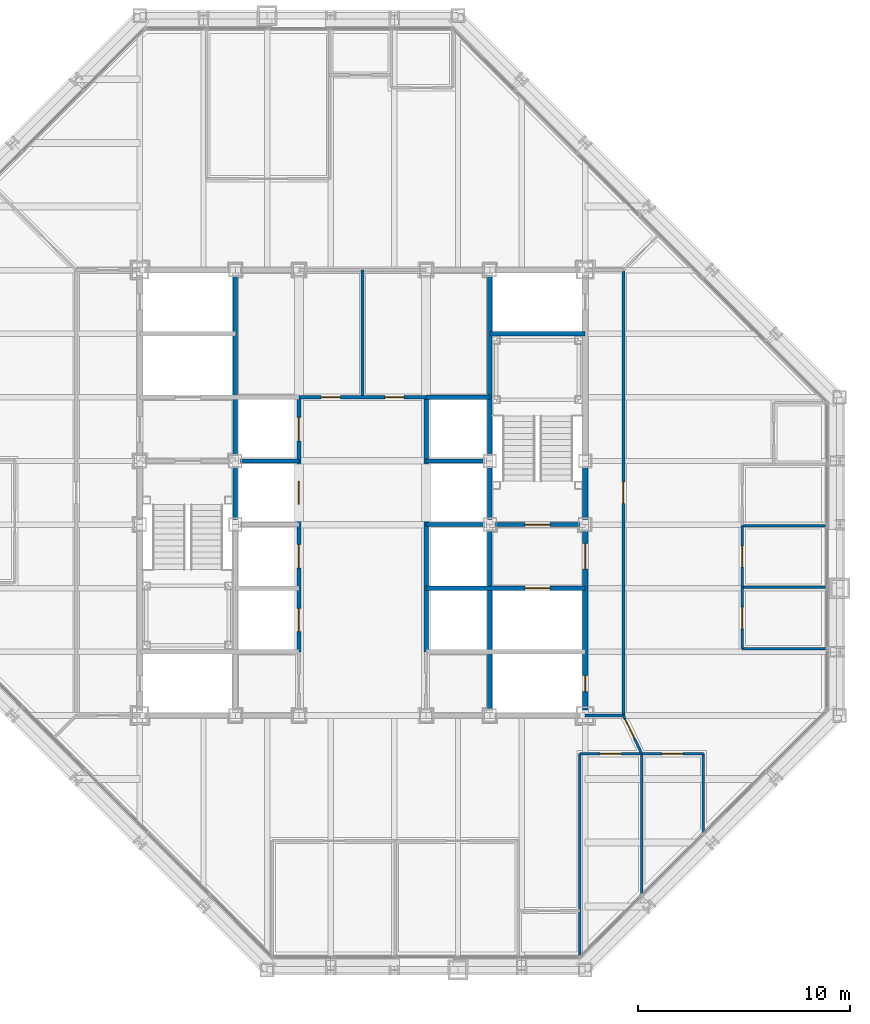
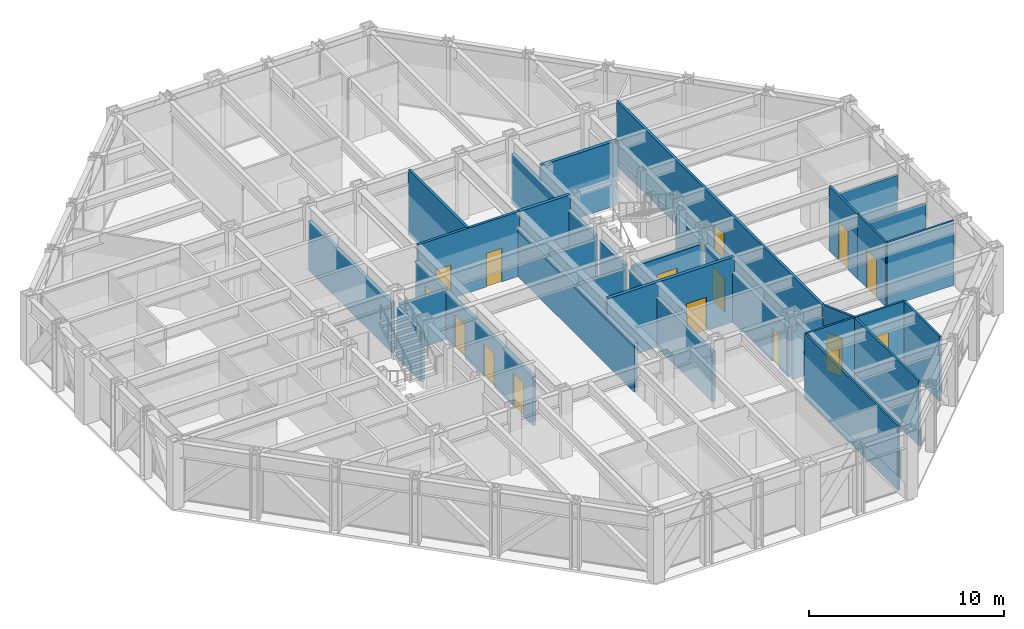
# One storey, part 12 of 16: 31 walls, 16 doors, 16 openings.
"""IFC4 building model written with IfcOpenShell, lengths in metres."""

from ifc_helpers import new_model, si_unit, direction, frame, frame_2d, origin, place, context, subcontext, project, spatial, rectangle, extrude, material, layer, layer_set, type_object, element, fill, save


model = new_model("IFC4")

# Units and contexts
model_context = context("Model", 3, precision=1e-05, world=origin(), true_north=direction((0.0, 1.0)))
body_context = subcontext(model_context, "Body", "Model", "MODEL_VIEW")
ifc_project = project(units=[si_unit("LENGTHUNIT", "METRE"), si_unit("AREAUNIT", "SQUARE_METRE"), si_unit("VOLUMEUNIT", "CUBIC_METRE"), si_unit("PLANEANGLEUNIT", "RADIAN"), si_unit("MASSUNIT", "GRAM", prefix="KILO")], contexts=[model_context])

# Site, building, storey
site_placement = place(None, origin())
site = spatial("IfcSite", under=ifc_project, at=site_placement, CompositionType="ELEMENT")
building_placement = place(site_placement, origin())
building = spatial("IfcBuilding", under=site, at=building_placement, Name="Chuquiago Exchange Tower", CompositionType="ELEMENT")
storey_placement = place(building_placement, frame((0.0, 0.0, 209.699951171875)))
storey = spatial("IfcBuildingStorey", under=building, at=storey_placement, Name="L46", CompositionType="ELEMENT", Elevation=209.699951171875)

# Wall, openings, doors
ifc_material_1 = material(Name="Concrete masonry, fully grouted", Category="masonry")
ifc_layer_1 = layer(ifc_material_1, 0.25)
ifc_layer_set_1 = layer_set([ifc_layer_1], Name="W1 core wall 250")
wall_type_1 = type_object("IfcWallType", Name="W1 core wall 250", PredefinedType="SOLIDWALL", material=ifc_layer_set_1)
wall_1_placement = place(storey_placement, frame((33.0, 12.25, 0.0), z_axis=(0.0, 0.0, 1.0), x_axis=(0.0, 1.0, 0.0)))
wall_1 = element("IfcWall", 1, at=wall_1_placement, inside=storey, type_object=wall_type_1, Name="CW-L46-25-0", PredefinedType="SOLIDWALL", context=body_context, shape_type="SweptSolid", body=[
    extrude(rectangle(XDim=8.5, YDim=0.25, at=frame_2d((4.25, 0.0))), origin(), (0.0, 0.0, 1.0), 3.113037109375),
])
opening_1_placement = place(wall_1_placement, frame((6.64990234375, 0.0, 0.0)))
opening_1 = element("IfcOpeningElement", 2, at=opening_1_placement, cuts=wall_1, Name="Opening L46-004", PredefinedType="OPENING", context=body_context, shape_type="SweptSolid", body=[
    extrude(rectangle(XDim=1.199951171875, YDim=2.10009765625, at=frame_2d((0.60009765625, 1.050048828125))), frame((0.0, 0.135009765625, 0.0), z_axis=(0.0, -1.0, 0.0), x_axis=(1.0, 0.0, 0.0)), (0.0, 0.0, 1.0), 0.27001953125),
])
opening_2_placement = place(wall_1_placement, frame((0.875, 0.0, 0.0)))
opening_2 = element("IfcOpeningElement", 3, at=opening_2_placement, cuts=wall_1, Name="Opening L46-009", PredefinedType="OPENING", context=body_context, shape_type="SweptSolid", body=[
    extrude(rectangle(XDim=0.75, YDim=2.10009765625, at=frame_2d((0.375, 1.050048828125))), frame((0.0, 0.135009765625, 0.0), z_axis=(0.0, -1.0, 0.0), x_axis=(1.0, 0.0, 0.0)), (0.0, 0.0, 1.0), 0.27001953125),
])
ifc_material_2 = material(Name="Steel door, painted", Category="steel")
door_type_1 = type_object("IfcDoorType", Name="D5 firefighting lobby door 1200x2100", OperationType="SINGLE_SWING_LEFT", PredefinedType="DOOR", material=ifc_material_2)
door_1_placement = place(opening_1_placement, origin())
door_1 = element("IfcDoor", 4, at=door_1_placement, inside=storey, type_object=door_type_1, Name="Firefighting lobby 2 door", OperationType="SINGLE_SWING_RIGHT", OverallHeight=2.10009765625, OverallWidth=1.199951171875, PredefinedType="DOOR", context=body_context, shape_type="SweptSolid", body=[
    extrude(rectangle(XDim=1.199951171875, YDim=2.10009765625, at=frame_2d((0.60009765625, 1.050048828125))), frame((0.0, 0.02490234375, 0.0), z_axis=(0.0, -1.0, 0.0), x_axis=(1.0, 0.0, 0.0)), (0.0, 0.0, 1.0), 0.050048828125),
])
fill(opening_1, door_1)
ifc_material_3 = material(Name="Steel door, painted", Category="steel")
door_type_2 = type_object("IfcDoorType", Name="D6 riser access door 750x2100", OperationType="SINGLE_SWING_LEFT", PredefinedType="DOOR", material=ifc_material_3)
door_2_placement = place(opening_2_placement, frame((0.75, 0.0, 0.0), z_axis=(0.0, 0.0, 1.0), x_axis=(-1.0, 0.0, 0.0)))
door_2 = element("IfcDoor", 5, at=door_2_placement, inside=storey, type_object=door_type_2, Name="Riser RE1 door", OperationType="SINGLE_SWING_RIGHT", OverallHeight=2.10009765625, OverallWidth=0.75, PredefinedType="DOOR", context=body_context, shape_type="SweptSolid", body=[
    extrude(rectangle(XDim=0.75, YDim=2.10009765625, at=frame_2d((0.375, 1.050048828125))), frame((0.0, 0.02490234375, 0.0), z_axis=(0.0, -1.0, 0.0), x_axis=(1.0, 0.0, 0.0)), (0.0, 0.0, 1.0), 0.050048828125),
])
fill(opening_2, door_2)

# Wall
wall_2_placement = place(storey_placement, frame((33.0, 21.25, 0.0), z_axis=(0.0, 0.0, 1.0), x_axis=(0.0, 1.0, 0.0)))
element("IfcWall", 6, at=wall_2_placement, inside=storey, type_object=wall_type_1, Name="CW-L46-25-1", PredefinedType="SOLIDWALL", context=body_context, shape_type="SweptSolid", body=[
    extrude(rectangle(XDim=2.5, YDim=0.25, at=frame_2d((1.25, 0.0))), origin(), (0.0, 0.0, 1.0), 3.113037109375),
])

# Wall, opening, door
ifc_material_4 = material(Name="Gypsum board on steel studs, acoustic insulation", Category="steel")
ifc_layer_2 = layer(ifc_material_4, 0.14990234375)
ifc_layer_set_2 = layer_set([ifc_layer_2], Name="W11 corridor wall 150")
wall_type_2 = type_object("IfcWallType", Name="W11 corridor wall 150", PredefinedType="PARTITIONING", material=ifc_layer_set_2)
wall_3_placement = place(storey_placement, frame((34.800048828125, 12.0, 0.0), z_axis=(0.0, 0.0, 1.0), x_axis=(0.0, 1.0, 0.0)))
wall_3 = element("IfcWall", 7, at=wall_3_placement, inside=storey, type_object=wall_type_2, Name="PW-L46-GE0", PredefinedType="PARTITIONING", context=body_context, shape_type="SweptSolid", body=[
    extrude(rectangle(XDim=21.0, YDim=0.14990234375, at=frame_2d((10.5, 0.0))), origin(), (0.0, 0.0, 1.0), 4.0400390625),
])
opening_3_placement = place(wall_3_placement, frame((10.0, 0.0, 0.0)))
opening_3 = element("IfcOpeningElement", 8, at=opening_3_placement, cuts=wall_3, Name="Opening L46-038", PredefinedType="OPENING", context=body_context, shape_type="SweptSolid", body=[
    extrude(rectangle(XDim=1.0, YDim=2.39990234375, at=frame_2d((0.5, 1.199951171875))), frame((0.0, 0.0849609375, 0.0), z_axis=(0.0, -1.0, 0.0), x_axis=(1.0, 0.0, 0.0)), (0.0, 0.0, 1.0), 0.169921875),
])
ifc_material_5 = material(Name="Timber door, laminate faced", Category="wood")
door_type_3 = type_object("IfcDoorType", Name="D9 room door 1000x2400", OperationType="SINGLE_SWING_LEFT", PredefinedType="DOOR", material=ifc_material_5)
door_3_placement = place(opening_3_placement, frame((1.0, 0.0, 0.0), z_axis=(0.0, 0.0, 1.0), x_axis=(-1.0, 0.0, 0.0)))
door_3 = element("IfcDoor", 9, at=door_3_placement, inside=storey, type_object=door_type_3, Name="Team area door", OperationType="SINGLE_SWING_RIGHT", OverallHeight=2.39990234375, OverallWidth=1.0, PredefinedType="DOOR", context=body_context, shape_type="SweptSolid", body=[
    extrude(rectangle(XDim=1.0, YDim=2.39990234375, at=frame_2d((0.5, 1.199951171875))), frame((0.0, 0.02490234375, 0.0), z_axis=(0.0, -1.0, 0.0), x_axis=(1.0, 0.0, 0.0)), (0.0, 0.0, 1.0), 0.050048828125),
])
fill(opening_3, door_3)

# Walls
wall_4_placement = place(storey_placement, frame((33.0, 12.0, 0.0), z_axis=(0.0, 0.0, 1.0), x_axis=(1.0, 0.0, 0.0)))
element("IfcWall", 10, at=wall_4_placement, inside=storey, type_object=wall_type_2, Name="PW-L46-GES0", PredefinedType="PARTITIONING", context=body_context, shape_type="SweptSolid", body=[
    extrude(rectangle(XDim=1.800048828125, YDim=0.14990234375, at=frame_2d((0.89990234375, 0.0))), origin(), (0.0, 0.0, 1.0), 3.2705078125),
])
ifc_material_6 = material(Name="Concrete masonry, fully grouted", Category="masonry")
ifc_layer_3 = layer(ifc_material_6, 0.199951171875)
ifc_layer_set_3 = layer_set([ifc_layer_3], Name="W2 shaft wall 200")
wall_type_3 = type_object("IfcWallType", Name="W2 shaft wall 200", PredefinedType="SOLIDWALL", material=ifc_layer_set_3)
for number, where, z_axis, x_axis, name in (
    (11, (16.75, 24.0, 0.0), (0.0, 0.0, 1.0), (1.0, 0.0, 0.0), "CW-L46-05-1"),
    (12, (25.5, 24.0, 0.0), (0.0, 0.0, 1.0), (1.0, 0.0, 0.0), "CW-L46-06-0"),
):
    element("IfcWall", number, at=place(storey_placement, frame(where, z_axis=z_axis, x_axis=x_axis)), inside=storey, type_object=wall_type_3, Name=name, PredefinedType="SOLIDWALL", context=body_context, shape_type="SweptSolid", body=[
        extrude(rectangle(XDim=2.75, YDim=0.199951171875, at=frame_2d((1.375, 0.0))), origin(), (0.0, 0.0, 1.0), 3.090087890625),
    ])
wall_5_placement = place(storey_placement, frame((25.5, 27.0, 0.0), z_axis=(0.0, 0.0, 1.0), x_axis=(1.0, 0.0, 0.0)))
element("IfcWall", 13, at=wall_5_placement, inside=storey, type_object=wall_type_3, Name="CW-L46-08-0", PredefinedType="SOLIDWALL", context=body_context, shape_type="SweptSolid", body=[
    extrude(rectangle(XDim=3.0, YDim=0.199951171875, at=frame_2d((1.5, 0.0))), origin(), (0.0, 0.0, 1.0), 4.0400390625),
])
wall_6_placement = place(storey_placement, frame((28.5, 30.0, 0.0), z_axis=(0.0, 0.0, 1.0), x_axis=(1.0, 0.0, 0.0)))
element("IfcWall", 14, at=wall_6_placement, inside=storey, type_object=wall_type_3, Name="CW-L46-10-0", PredefinedType="SOLIDWALL", context=body_context, shape_type="SweptSolid", body=[
    extrude(rectangle(XDim=4.5, YDim=0.199951171875, at=frame_2d((2.25, 0.0))), origin(), (0.0, 0.0, 1.0), 4.0400390625),
])
wall_7_placement = place(storey_placement, frame((16.5, 21.25, 0.0), z_axis=(0.0, 0.0, 1.0), x_axis=(0.0, 1.0, 0.0)))
element("IfcWall", 15, at=wall_7_placement, inside=storey, type_object=wall_type_3, Name="CW-L46-13-1", PredefinedType="SOLIDWALL", context=body_context, shape_type="SweptSolid", body=[
    extrude(rectangle(XDim=2.5, YDim=0.199951171875, at=frame_2d((1.25, 0.0))), origin(), (0.0, 0.0, 1.0), 3.113037109375),
])
wall_8_placement = place(storey_placement, frame((16.5, 24.25, 0.0), z_axis=(0.0, 0.0, 1.0), x_axis=(0.0, 1.0, 0.0)))
element("IfcWall", 16, at=wall_8_placement, inside=storey, type_object=wall_type_3, Name="CW-L46-13-2", PredefinedType="SOLIDWALL", context=body_context, shape_type="SweptSolid", body=[
    extrude(rectangle(XDim=8.5, YDim=0.199951171875, at=frame_2d((4.25, 0.0))), origin(), (0.0, 0.0, 1.0), 3.113037109375),
])

# Wall, opening, door
wall_9_placement = place(storey_placement, frame((25.5, 18.0, 0.0), z_axis=(0.0, 0.0, 1.0), x_axis=(1.0, 0.0, 0.0)))
wall_9 = element("IfcWall", 17, at=wall_9_placement, inside=storey, type_object=wall_type_3, Name="CW-L46-15-0", PredefinedType="SOLIDWALL", context=body_context, shape_type="SweptSolid", body=[
    extrude(rectangle(XDim=7.5, YDim=0.199951171875, at=frame_2d((3.75, 0.0))), origin(), (0.0, 0.0, 1.0), 4.0400390625),
])
opening_4_placement = place(wall_9_placement, frame((4.64990234375, 0.0, 0.0)))
opening_4 = element("IfcOpeningElement", 18, at=opening_4_placement, cuts=wall_9, Name="Opening L46-006", PredefinedType="OPENING", context=body_context, shape_type="SweptSolid", body=[
    extrude(rectangle(XDim=1.199951171875, YDim=2.10009765625, at=frame_2d((0.60009765625, 1.050048828125))), frame((0.0, 0.10986328125, 0.0), z_axis=(0.0, -1.0, 0.0), x_axis=(1.0, 0.0, 0.0)), (0.0, 0.0, 1.0), 0.219970703125),
])
ifc_material_7 = material(Name="Stainless steel lift landing door", Category="steel")
door_type_4 = type_object("IfcDoorType", Name="LD2 firefighting lift landing door 1200x2100", OperationType="DOUBLE_DOOR_SLIDING", PredefinedType="DOOR", material=ifc_material_7)
door_4_placement = place(opening_4_placement, origin())
door_4 = element("IfcDoor", 19, at=door_4_placement, inside=storey, type_object=door_type_4, Name="Firefighting lift FL2 landing door", OperationType="DOUBLE_DOOR_SLIDING", OverallHeight=2.10009765625, OverallWidth=1.199951171875, PredefinedType="DOOR", context=body_context, shape_type="SweptSolid", body=[
    extrude(rectangle(XDim=1.199951171875, YDim=2.10009765625, at=frame_2d((0.60009765625, 1.050048828125))), frame((0.0, 0.02490234375, 0.0), z_axis=(0.0, -1.0, 0.0), x_axis=(1.0, 0.0, 0.0)), (0.0, 0.0, 1.0), 0.050048828125),
])
fill(opening_4, door_4)

# Wall
wall_10_placement = place(storey_placement, frame((25.5, 21.0, 0.0), z_axis=(0.0, 0.0, 1.0), x_axis=(1.0, 0.0, 0.0)))
element("IfcWall", 20, at=wall_10_placement, inside=storey, type_object=wall_type_3, Name="CW-L46-17-0", PredefinedType="SOLIDWALL", context=body_context, shape_type="SweptSolid", body=[
    extrude(rectangle(XDim=2.75, YDim=0.199951171875, at=frame_2d((1.375, 0.0))), origin(), (0.0, 0.0, 1.0), 3.090087890625),
])

# Wall, opening, door
wall_11_placement = place(storey_placement, frame((28.75, 21.0, 0.0), z_axis=(0.0, 0.0, 1.0), x_axis=(1.0, 0.0, 0.0)))
wall_11 = element("IfcWall", 21, at=wall_11_placement, inside=storey, type_object=wall_type_3, Name="CW-L46-17-1", PredefinedType="SOLIDWALL", context=body_context, shape_type="SweptSolid", body=[
    extrude(rectangle(XDim=4.0, YDim=0.199951171875, at=frame_2d((2.0, 0.0))), origin(), (0.0, 0.0, 1.0), 3.090087890625),
])
opening_5_placement = place(wall_11_placement, frame((1.39990234375, 0.0, 0.0)))
opening_5 = element("IfcOpeningElement", 22, at=opening_5_placement, cuts=wall_11, Name="Opening L46-003", PredefinedType="OPENING", context=body_context, shape_type="SweptSolid", body=[
    extrude(rectangle(XDim=1.199951171875, YDim=2.10009765625, at=frame_2d((0.60009765625, 1.050048828125))), frame((0.0, 0.10986328125, 0.0), z_axis=(0.0, -1.0, 0.0), x_axis=(1.0, 0.0, 0.0)), (0.0, 0.0, 1.0), 0.219970703125),
])
ifc_material_8 = material(Name="Steel door, painted", Category="steel")
door_type_5 = type_object("IfcDoorType", Name="D4 stair door 1200x2100", OperationType="SINGLE_SWING_LEFT", PredefinedType="DOOR", material=ifc_material_8)
door_5_placement = place(opening_5_placement, origin())
door_5 = element("IfcDoor", 23, at=door_5_placement, inside=storey, type_object=door_type_5, Name="Stair ST2 door", OperationType="SINGLE_SWING_LEFT", OverallHeight=2.10009765625, OverallWidth=1.199951171875, PredefinedType="DOOR", context=body_context, shape_type="SweptSolid", body=[
    extrude(rectangle(XDim=1.199951171875, YDim=2.10009765625, at=frame_2d((0.60009765625, 1.050048828125))), frame((0.0, 0.02490234375, 0.0), z_axis=(0.0, -1.0, 0.0), x_axis=(1.0, 0.0, 0.0)), (0.0, 0.0, 1.0), 0.050048828125),
])
fill(opening_5, door_5)

# Wall, openings, doors
wall_12_placement = place(storey_placement, frame((19.5, 15.0, 0.0), z_axis=(0.0, 0.0, 1.0), x_axis=(0.0, 1.0, 0.0)))
wall_12 = element("IfcWall", 24, at=wall_12_placement, inside=storey, type_object=wall_type_3, Name="CW-L46-19-0", PredefinedType="SOLIDWALL", context=body_context, shape_type="SweptSolid", body=[
    extrude(rectangle(XDim=12.0, YDim=0.199951171875, at=frame_2d((6.0, 0.0))), origin(), (0.0, 0.0, 1.0), 3.064697265625),
])
opening_6_placement = place(wall_12_placement, frame((0.949951171875, 0.0, 0.0)))
opening_6 = element("IfcOpeningElement", 25, at=opening_6_placement, cuts=wall_12, Name="Opening L46-015", PredefinedType="OPENING", context=body_context, shape_type="SweptSolid", body=[
    extrude(rectangle(XDim=1.10009765625, YDim=2.10009765625, at=frame_2d((0.550048828125, 1.050048828125))), frame((0.0, 0.10986328125, 0.0), z_axis=(0.0, -1.0, 0.0), x_axis=(1.0, 0.0, 0.0)), (0.0, 0.0, 1.0), 0.219970703125),
])
opening_7_placement = place(wall_12_placement, frame((3.949951171875, 0.0, 0.0)))
opening_7 = element("IfcOpeningElement", 26, at=opening_7_placement, cuts=wall_12, Name="Opening L46-016", PredefinedType="OPENING", context=body_context, shape_type="SweptSolid", body=[
    extrude(rectangle(XDim=1.10009765625, YDim=2.10009765625, at=frame_2d((0.550048828125, 1.050048828125))), frame((0.0, 0.10986328125, 0.0), z_axis=(0.0, -1.0, 0.0), x_axis=(1.0, 0.0, 0.0)), (0.0, 0.0, 1.0), 0.219970703125),
])
opening_8_placement = place(wall_12_placement, frame((6.949951171875, 0.0, 0.0)))
opening_8 = element("IfcOpeningElement", 27, at=opening_8_placement, cuts=wall_12, Name="Opening L46-017", PredefinedType="OPENING", context=body_context, shape_type="SweptSolid", body=[
    extrude(rectangle(XDim=1.10009765625, YDim=2.10009765625, at=frame_2d((0.550048828125, 1.050048828125))), frame((0.0, 0.10986328125, 0.0), z_axis=(0.0, -1.0, 0.0), x_axis=(1.0, 0.0, 0.0)), (0.0, 0.0, 1.0), 0.219970703125),
])
opening_9_placement = place(wall_12_placement, frame((9.949951171875, 0.0, 0.0)))
opening_9 = element("IfcOpeningElement", 28, at=opening_9_placement, cuts=wall_12, Name="Opening L46-018", PredefinedType="OPENING", context=body_context, shape_type="SweptSolid", body=[
    extrude(rectangle(XDim=1.10009765625, YDim=2.10009765625, at=frame_2d((0.550048828125, 1.050048828125))), frame((0.0, 0.10986328125, 0.0), z_axis=(0.0, -1.0, 0.0), x_axis=(1.0, 0.0, 0.0)), (0.0, 0.0, 1.0), 0.219970703125),
])
ifc_material_9 = material(Name="Stainless steel lift landing door", Category="steel")
door_type_6 = type_object("IfcDoorType", Name="LD1 lift landing door 1100x2100", OperationType="DOUBLE_DOOR_SLIDING", PredefinedType="DOOR", material=ifc_material_9)
door_6_placement = place(opening_6_placement, origin())
door_6 = element("IfcDoor", 29, at=door_6_placement, inside=storey, type_object=door_type_6, Name="Lift LC1 landing door", OperationType="DOUBLE_DOOR_SLIDING", OverallHeight=2.10009765625, OverallWidth=1.10009765625, PredefinedType="DOOR", context=body_context, shape_type="SweptSolid", body=[
    extrude(rectangle(XDim=1.10009765625, YDim=2.10009765625, at=frame_2d((0.550048828125, 1.050048828125))), frame((0.0, 0.02490234375, 0.0), z_axis=(0.0, -1.0, 0.0), x_axis=(1.0, 0.0, 0.0)), (0.0, 0.0, 1.0), 0.050048828125),
])
fill(opening_6, door_6)
door_7_placement = place(opening_7_placement, origin())
door_7 = element("IfcDoor", 30, at=door_7_placement, inside=storey, type_object=door_type_6, Name="Lift LC2 landing door", OperationType="DOUBLE_DOOR_SLIDING", OverallHeight=2.10009765625, OverallWidth=1.10009765625, PredefinedType="DOOR", context=body_context, shape_type="SweptSolid", body=[
    extrude(rectangle(XDim=1.10009765625, YDim=2.10009765625, at=frame_2d((0.550048828125, 1.050048828125))), frame((0.0, 0.02490234375, 0.0), z_axis=(0.0, -1.0, 0.0), x_axis=(1.0, 0.0, 0.0)), (0.0, 0.0, 1.0), 0.050048828125),
])
fill(opening_7, door_7)
door_8_placement = place(opening_8_placement, origin())
door_8 = element("IfcDoor", 31, at=door_8_placement, inside=storey, type_object=door_type_6, Name="Lift LC3 landing door", OperationType="DOUBLE_DOOR_SLIDING", OverallHeight=2.10009765625, OverallWidth=1.10009765625, PredefinedType="DOOR", context=body_context, shape_type="SweptSolid", body=[
    extrude(rectangle(XDim=1.10009765625, YDim=2.10009765625, at=frame_2d((0.550048828125, 1.050048828125))), frame((0.0, 0.02490234375, 0.0), z_axis=(0.0, -1.0, 0.0), x_axis=(1.0, 0.0, 0.0)), (0.0, 0.0, 1.0), 0.050048828125),
])
fill(opening_8, door_8)
door_9_placement = place(opening_9_placement, origin())
door_9 = element("IfcDoor", 32, at=door_9_placement, inside=storey, type_object=door_type_6, Name="Lift LC4 landing door", OperationType="DOUBLE_DOOR_SLIDING", OverallHeight=2.10009765625, OverallWidth=1.10009765625, PredefinedType="DOOR", context=body_context, shape_type="SweptSolid", body=[
    extrude(rectangle(XDim=1.10009765625, YDim=2.10009765625, at=frame_2d((0.550048828125, 1.050048828125))), frame((0.0, 0.02490234375, 0.0), z_axis=(0.0, -1.0, 0.0), x_axis=(1.0, 0.0, 0.0)), (0.0, 0.0, 1.0), 0.050048828125),
])
fill(opening_9, door_9)

# Walls
wall_13_placement = place(storey_placement, frame((25.5, 15.0, 0.0), z_axis=(0.0, 0.0, 1.0), x_axis=(0.0, 1.0, 0.0)))
element("IfcWall", 33, at=wall_13_placement, inside=storey, type_object=wall_type_3, Name="CW-L46-22-0", PredefinedType="SOLIDWALL", context=body_context, shape_type="SweptSolid", body=[
    extrude(rectangle(XDim=12.0, YDim=0.199951171875, at=frame_2d((6.0, 0.0))), origin(), (0.0, 0.0, 1.0), 3.064697265625),
])
wall_14_placement = place(storey_placement, frame((28.5, 12.25, 0.0), z_axis=(0.0, 0.0, 1.0), x_axis=(0.0, 1.0, 0.0)))
element("IfcWall", 34, at=wall_14_placement, inside=storey, type_object=wall_type_3, Name="CW-L46-24-0", PredefinedType="SOLIDWALL", context=body_context, shape_type="SweptSolid", body=[
    extrude(rectangle(XDim=8.5, YDim=0.199951171875, at=frame_2d((4.25, 0.0))), origin(), (0.0, 0.0, 1.0), 3.113037109375),
])
wall_15_placement = place(storey_placement, frame((28.5, 21.25, 0.0), z_axis=(0.0, 0.0, 1.0), x_axis=(0.0, 1.0, 0.0)))
element("IfcWall", 35, at=wall_15_placement, inside=storey, type_object=wall_type_3, Name="CW-L46-24-1", PredefinedType="SOLIDWALL", context=body_context, shape_type="SweptSolid", body=[
    extrude(rectangle(XDim=2.5, YDim=0.199951171875, at=frame_2d((1.25, 0.0))), origin(), (0.0, 0.0, 1.0), 3.113037109375),
])
wall_16_placement = place(storey_placement, frame((28.5, 24.25, 0.0), z_axis=(0.0, 0.0, 1.0), x_axis=(0.0, 1.0, 0.0)))
element("IfcWall", 36, at=wall_16_placement, inside=storey, type_object=wall_type_3, Name="CW-L46-24-2", PredefinedType="SOLIDWALL", context=body_context, shape_type="SweptSolid", body=[
    extrude(rectangle(XDim=8.5, YDim=0.199951171875, at=frame_2d((4.25, 0.0))), origin(), (0.0, 0.0, 1.0), 3.113037109375),
])

# Wall, openings, doors
ifc_material_10 = material(Name="Gypsum board on steel studs", Category="steel")
ifc_layer_4 = layer(ifc_material_10, 0.14990234375)
ifc_layer_set_4 = layer_set([ifc_layer_4], Name="W3 core partition 150")
wall_type_4 = type_object("IfcWallType", Name="W3 core partition 150", PredefinedType="PARTITIONING", material=ifc_layer_set_4)
wall_17_placement = place(storey_placement, frame((19.5, 27.0, 0.0), z_axis=(0.0, 0.0, 1.0), x_axis=(1.0, 0.0, 0.0)))
wall_17 = element("IfcWall", 37, at=wall_17_placement, inside=storey, type_object=wall_type_4, Name="CW-L46-TF", PredefinedType="PARTITIONING", context=body_context, shape_type="SweptSolid", body=[
    extrude(rectangle(XDim=6.0, YDim=0.14990234375, at=frame_2d((3.0, 0.0))), origin(), (0.0, 0.0, 1.0), 4.0400390625),
])
opening_10_placement = place(wall_17_placement, frame((1.050048828125, 0.0, 0.0)))
opening_10 = element("IfcOpeningElement", 38, at=opening_10_placement, cuts=wall_17, Name="Opening L46-011", PredefinedType="OPENING", context=body_context, shape_type="SweptSolid", body=[
    extrude(rectangle(XDim=0.89990234375, YDim=2.10009765625, at=frame_2d((0.449951171875, 1.050048828125))), frame((0.0, 0.0849609375, 0.0), z_axis=(0.0, -1.0, 0.0), x_axis=(1.0, 0.0, 0.0)), (0.0, 0.0, 1.0), 0.169921875),
])
opening_11_placement = place(wall_17_placement, frame((4.050048828125, 0.0, 0.0)))
opening_11 = element("IfcOpeningElement", 39, at=opening_11_placement, cuts=wall_17, Name="Opening L46-012", PredefinedType="OPENING", context=body_context, shape_type="SweptSolid", body=[
    extrude(rectangle(XDim=0.89990234375, YDim=2.10009765625, at=frame_2d((0.449951171875, 1.050048828125))), frame((0.0, 0.0849609375, 0.0), z_axis=(0.0, -1.0, 0.0), x_axis=(1.0, 0.0, 0.0)), (0.0, 0.0, 1.0), 0.169921875),
])
ifc_material_11 = material(Name="Timber door, laminate faced", Category="wood")
door_type_7 = type_object("IfcDoorType", Name="D7 toilet door 900x2100", OperationType="SINGLE_SWING_LEFT", PredefinedType="DOOR", material=ifc_material_11)
door_10_placement = place(opening_10_placement, origin())
door_10 = element("IfcDoor", 40, at=door_10_placement, inside=storey, type_object=door_type_7, Name="Male WC door", OperationType="SINGLE_SWING_RIGHT", OverallHeight=2.10009765625, OverallWidth=0.89990234375, PredefinedType="DOOR", context=body_context, shape_type="SweptSolid", body=[
    extrude(rectangle(XDim=0.89990234375, YDim=2.10009765625, at=frame_2d((0.449951171875, 1.050048828125))), frame((0.0, 0.02490234375, 0.0), z_axis=(0.0, -1.0, 0.0), x_axis=(1.0, 0.0, 0.0)), (0.0, 0.0, 1.0), 0.050048828125),
])
fill(opening_10, door_10)
door_11_placement = place(opening_11_placement, origin())
door_11 = element("IfcDoor", 41, at=door_11_placement, inside=storey, type_object=door_type_7, Name="Female WC door", OperationType="SINGLE_SWING_LEFT", OverallHeight=2.10009765625, OverallWidth=0.89990234375, PredefinedType="DOOR", context=body_context, shape_type="SweptSolid", body=[
    extrude(rectangle(XDim=0.89990234375, YDim=2.10009765625, at=frame_2d((0.449951171875, 1.050048828125))), frame((0.0, 0.02490234375, 0.0), z_axis=(0.0, -1.0, 0.0), x_axis=(1.0, 0.0, 0.0)), (0.0, 0.0, 1.0), 0.050048828125),
])
fill(opening_11, door_11)

# Walls
wall_18_placement = place(storey_placement, frame((22.5, 27.0, 0.0), z_axis=(0.0, 0.0, 1.0), x_axis=(0.0, 1.0, 0.0)))
element("IfcWall", 42, at=wall_18_placement, inside=storey, type_object=wall_type_4, Name="CW-L46-TM", PredefinedType="PARTITIONING", context=body_context, shape_type="SweptSolid", body=[
    extrude(rectangle(XDim=6.0, YDim=0.14990234375, at=frame_2d((3.0, 0.0))), origin(), (0.0, 0.0, 1.0), 4.0400390625),
])
ifc_material_12 = material(Name="Gypsum board on steel studs", Category="steel")
ifc_layer_5 = layer(ifc_material_12, 0.1201171875)
ifc_layer_set_5 = layer_set([ifc_layer_5], Name="W4 partition 120")
wall_type_5 = type_object("IfcWallType", Name="W4 partition 120", PredefinedType="PARTITIONING", material=ifc_layer_set_5)
wall_19_placement = place(storey_placement, frame((32.75146484375, 0.666015625, 0.0), z_axis=(0.0, 0.0, 1.0), x_axis=(0.0, 1.0, 0.0)))
element("IfcWall", 43, at=wall_19_placement, inside=storey, type_object=wall_type_5, Name="PW-L46-S03275", PredefinedType="PARTITIONING", context=body_context, shape_type="SweptSolid", body=[
    extrude(rectangle(XDim=9.533935546875, YDim=0.1201171875, at=frame_2d((4.76708984375, 0.0))), origin(), (0.0, 0.0, 1.0), 4.0400390625),
])
wall_20_placement = place(storey_placement, frame((35.66357421875, 3.578125, 0.0), z_axis=(0.0, 0.0, 1.0), x_axis=(0.0, 1.0, 0.0)))
element("IfcWall", 44, at=wall_20_placement, inside=storey, type_object=wall_type_5, Name="PW-L46-S03566", PredefinedType="PARTITIONING", context=body_context, shape_type="SweptSolid", body=[
    extrude(rectangle(XDim=6.621826171875, YDim=0.1201171875, at=frame_2d((3.31103515625, 0.0))), origin(), (0.0, 0.0, 1.0), 4.0400390625),
])
wall_21_placement = place(storey_placement, frame((38.57568359375, 6.490234375, 0.0), z_axis=(0.0, 0.0, 1.0), x_axis=(0.0, 1.0, 0.0)))
element("IfcWall", 45, at=wall_21_placement, inside=storey, type_object=wall_type_5, Name="PW-L46-S03858", PredefinedType="PARTITIONING", context=body_context, shape_type="SweptSolid", body=[
    extrude(rectangle(XDim=3.709716796875, YDim=0.1201171875, at=frame_2d((1.85498046875, 0.0))), origin(), (0.0, 0.0, 1.0), 4.0400390625),
])

# Wall, opening, door
wall_22_placement = place(storey_placement, frame((32.75146484375, 10.199951171875, 0.0), z_axis=(0.0, 0.0, 1.0), x_axis=(1.0, 0.0, 0.0)))
wall_22 = element("IfcWall", 46, at=wall_22_placement, inside=storey, type_object=wall_type_5, Name="PW-L46-SF03275", PredefinedType="PARTITIONING", context=body_context, shape_type="SweptSolid", body=[
    extrude(rectangle(XDim=2.912109375, YDim=0.1201171875, at=frame_2d((1.4560546875, 0.0))), origin(), (0.0, 0.0, 1.0), 4.0400390625),
])
opening_12_placement = place(wall_22_placement, frame((0.9560546875, 0.0, 0.0)))
opening_12 = element("IfcOpeningElement", 47, at=opening_12_placement, cuts=wall_22, Name="Opening L46-022", PredefinedType="OPENING", context=body_context, shape_type="SweptSolid", body=[
    extrude(rectangle(XDim=1.0, YDim=2.39990234375, at=frame_2d((0.5, 1.199951171875))), frame((0.0, 0.070068359375, 0.0), z_axis=(0.0, -1.0, 0.0), x_axis=(1.0, 0.0, 0.0)), (0.0, 0.0, 1.0), 0.14013671875),
])
door_12_placement = place(opening_12_placement, frame((1.0, 0.0, 0.0), z_axis=(0.0, 0.0, 1.0), x_axis=(-1.0, 0.0, 0.0)))
door_12 = element("IfcDoor", 48, at=door_12_placement, inside=storey, type_object=door_type_3, Name="Office door", OperationType="SINGLE_SWING_LEFT", OverallHeight=2.39990234375, OverallWidth=1.0, PredefinedType="DOOR", context=body_context, shape_type="SweptSolid", body=[
    extrude(rectangle(XDim=1.0, YDim=2.39990234375, at=frame_2d((0.5, 1.199951171875))), frame((0.0, 0.02490234375, 0.0), z_axis=(0.0, -1.0, 0.0), x_axis=(1.0, 0.0, 0.0)), (0.0, 0.0, 1.0), 0.050048828125),
])
fill(opening_12, door_12)

wall_23_placement = place(storey_placement, frame((35.66357421875, 10.199951171875, 0.0), z_axis=(0.0, 0.0, 1.0), x_axis=(1.0, 0.0, 0.0)))
wall_23 = element("IfcWall", 49, at=wall_23_placement, inside=storey, type_object=wall_type_5, Name="PW-L46-SF03566", PredefinedType="PARTITIONING", context=body_context, shape_type="SweptSolid", body=[
    extrude(rectangle(XDim=2.912109375, YDim=0.1201171875, at=frame_2d((1.4560546875, 0.0))), origin(), (0.0, 0.0, 1.0), 4.0400390625),
])
opening_13_placement = place(wall_23_placement, frame((0.9560546875, 0.0, 0.0)))
opening_13 = element("IfcOpeningElement", 50, at=opening_13_placement, cuts=wall_23, Name="Opening L46-023", PredefinedType="OPENING", context=body_context, shape_type="SweptSolid", body=[
    extrude(rectangle(XDim=1.0, YDim=2.39990234375, at=frame_2d((0.5, 1.199951171875))), frame((0.0, 0.070068359375, 0.0), z_axis=(0.0, -1.0, 0.0), x_axis=(1.0, 0.0, 0.0)), (0.0, 0.0, 1.0), 0.14013671875),
])
door_13_placement = place(opening_13_placement, frame((1.0, 0.0, 0.0), z_axis=(0.0, 0.0, 1.0), x_axis=(-1.0, 0.0, 0.0)))
door_13 = element("IfcDoor", 51, at=door_13_placement, inside=storey, type_object=door_type_3, Name="Office door", OperationType="SINGLE_SWING_RIGHT", OverallHeight=2.39990234375, OverallWidth=1.0, PredefinedType="DOOR", context=body_context, shape_type="SweptSolid", body=[
    extrude(rectangle(XDim=1.0, YDim=2.39990234375, at=frame_2d((0.5, 1.199951171875))), frame((0.0, 0.02490234375, 0.0), z_axis=(0.0, -1.0, 0.0), x_axis=(1.0, 0.0, 0.0)), (0.0, 0.0, 1.0), 0.050048828125),
])
fill(opening_13, door_13)

# Walls
wall_24_placement = place(storey_placement, frame((44.347412109375, 15.149169921875, 0.0), z_axis=(0.0, 0.0, 1.0), x_axis=(-1.0, 0.0, 0.0)))
element("IfcWall", 52, at=wall_24_placement, inside=storey, type_object=wall_type_5, Name="PW-L46-E01515", PredefinedType="PARTITIONING", context=body_context, shape_type="SweptSolid", body=[
    extrude(rectangle(XDim=3.947509765625, YDim=0.1201171875, at=frame_2d((1.9736328125, 0.0))), origin(), (0.0, 0.0, 1.0), 4.0400390625),
])
for number, where, z_axis, x_axis, name in (
    (53, (44.347412109375, 18.0498046875, 0.0), (0.0, 0.0, 1.0), (-1.0, 0.0, 0.0), "PW-L46-E01805"),
    (54, (44.347412109375, 20.9501953125, 0.0), (0.0, 0.0, 1.0), (-1.0, 0.0, 0.0), "PW-L46-E02095"),
):
    element("IfcWall", number, at=place(storey_placement, frame(where, z_axis=z_axis, x_axis=x_axis)), inside=storey, type_object=wall_type_5, Name=name, PredefinedType="PARTITIONING", context=body_context, shape_type="SweptSolid", body=[
        extrude(rectangle(XDim=3.947509765625, YDim=0.1201171875, at=frame_2d((1.9736328125, 0.0))), origin(), (0.0, 0.0, 1.0), 3.35693359375),
    ])

# Wall, opening, door
wall_25_placement = place(storey_placement, frame((40.39990234375, 15.149169921875, 0.0), z_axis=(0.0, 0.0, 1.0), x_axis=(0.0, 1.0, 0.0)))
wall_25 = element("IfcWall", 55, at=wall_25_placement, inside=storey, type_object=wall_type_5, Name="PW-L46-EF01515", PredefinedType="PARTITIONING", context=body_context, shape_type="SweptSolid", body=[
    extrude(rectangle(XDim=2.900634765625, YDim=0.1201171875, at=frame_2d((1.4501953125, 0.0))), origin(), (0.0, 0.0, 1.0), 4.0400390625),
])
opening_14_placement = place(wall_25_placement, frame((0.9501953125, 0.0, 0.0)))
opening_14 = element("IfcOpeningElement", 56, at=opening_14_placement, cuts=wall_25, Name="Opening L46-024", PredefinedType="OPENING", context=body_context, shape_type="SweptSolid", body=[
    extrude(rectangle(XDim=1.0, YDim=2.39990234375, at=frame_2d((0.5, 1.199951171875))), frame((0.0, 0.070068359375, 0.0), z_axis=(0.0, -1.0, 0.0), x_axis=(1.0, 0.0, 0.0)), (0.0, 0.0, 1.0), 0.14013671875),
])
door_14_placement = place(opening_14_placement, frame((1.0, 0.0, 0.0), z_axis=(0.0, 0.0, 1.0), x_axis=(-1.0, 0.0, 0.0)))
door_14 = element("IfcDoor", 57, at=door_14_placement, inside=storey, type_object=door_type_3, Name="Office door", OperationType="SINGLE_SWING_RIGHT", OverallHeight=2.39990234375, OverallWidth=1.0, PredefinedType="DOOR", context=body_context, shape_type="SweptSolid", body=[
    extrude(rectangle(XDim=1.0, YDim=2.39990234375, at=frame_2d((0.5, 1.199951171875))), frame((0.0, 0.02490234375, 0.0), z_axis=(0.0, -1.0, 0.0), x_axis=(1.0, 0.0, 0.0)), (0.0, 0.0, 1.0), 0.050048828125),
])
fill(opening_14, door_14)

wall_26_placement = place(storey_placement, frame((40.39990234375, 18.0498046875, 0.0), z_axis=(0.0, 0.0, 1.0), x_axis=(0.0, 1.0, 0.0)))
wall_26 = element("IfcWall", 58, at=wall_26_placement, inside=storey, type_object=wall_type_5, Name="PW-L46-EF01805", PredefinedType="PARTITIONING", context=body_context, shape_type="SweptSolid", body=[
    extrude(rectangle(XDim=2.900390625, YDim=0.1201171875, at=frame_2d((1.4501953125, 0.0))), origin(), (0.0, 0.0, 1.0), 4.0400390625),
])
opening_15_placement = place(wall_26_placement, frame((0.9501953125, 0.0, 0.0)))
opening_15 = element("IfcOpeningElement", 59, at=opening_15_placement, cuts=wall_26, Name="Opening L46-025", PredefinedType="OPENING", context=body_context, shape_type="SweptSolid", body=[
    extrude(rectangle(XDim=1.0, YDim=2.39990234375, at=frame_2d((0.5, 1.199951171875))), frame((0.0, 0.070068359375, 0.0), z_axis=(0.0, -1.0, 0.0), x_axis=(1.0, 0.0, 0.0)), (0.0, 0.0, 1.0), 0.14013671875),
])
door_15_placement = place(opening_15_placement, frame((1.0, 0.0, 0.0), z_axis=(0.0, 0.0, 1.0), x_axis=(-1.0, 0.0, 0.0)))
door_15 = element("IfcDoor", 60, at=door_15_placement, inside=storey, type_object=door_type_3, Name="Office door", OperationType="SINGLE_SWING_LEFT", OverallHeight=2.39990234375, OverallWidth=1.0, PredefinedType="DOOR", context=body_context, shape_type="SweptSolid", body=[
    extrude(rectangle(XDim=1.0, YDim=2.39990234375, at=frame_2d((0.5, 1.199951171875))), frame((0.0, 0.02490234375, 0.0), z_axis=(0.0, -1.0, 0.0), x_axis=(1.0, 0.0, 0.0)), (0.0, 0.0, 1.0), 0.050048828125),
])
fill(opening_15, door_15)

wall_27_placement = place(storey_placement, frame((34.800048828125, 12.0, 0.0), z_axis=(0.0, 0.0, 1.0), x_axis=(0.432528305495, -0.901620355219, 0.0)))
wall_27 = element("IfcWall", 61, at=wall_27_placement, inside=storey, type_object=wall_type_5, Name="PW-L46-QSE", PredefinedType="PARTITIONING", context=body_context, shape_type="SweptSolid", body=[
    extrude(rectangle(XDim=1.996337890625, YDim=0.1201171875, at=frame_2d((0.998046875, 0.0))), origin(), (0.0, 0.0, 1.0), 4.0400390625),
])
opening_16_placement = place(wall_27_placement, frame((0.20556640625, 0.0, 0.0)))
opening_16 = element("IfcOpeningElement", 62, at=opening_16_placement, cuts=wall_27, Name="Opening L46-041", PredefinedType="OPENING", context=body_context, shape_type="SweptSolid", body=[
    extrude(rectangle(XDim=1.0, YDim=2.39990234375, at=frame_2d((0.5, 1.199951171875))), frame((0.0, 0.070068359375, 0.0), z_axis=(0.0, -1.0, 0.0), x_axis=(1.0, 0.0, 0.0)), (0.0, 0.0, 1.0), 0.14013671875),
])
door_16_placement = place(opening_16_placement, origin())
door_16 = element("IfcDoor", 63, at=door_16_placement, inside=storey, type_object=door_type_3, Name="Team area door", OperationType="SINGLE_SWING_LEFT", OverallHeight=2.39990234375, OverallWidth=1.0, PredefinedType="DOOR", context=body_context, shape_type="SweptSolid", body=[
    extrude(rectangle(XDim=1.0, YDim=2.39990234375, at=frame_2d((0.5, 1.199951171875))), frame((0.0, 0.02490234375, 0.0), z_axis=(0.0, -1.0, 0.0), x_axis=(1.0, 0.0, 0.0)), (0.0, 0.0, 1.0), 0.050048828125),
])
fill(opening_16, door_16)

save(model, "model.ifc")
